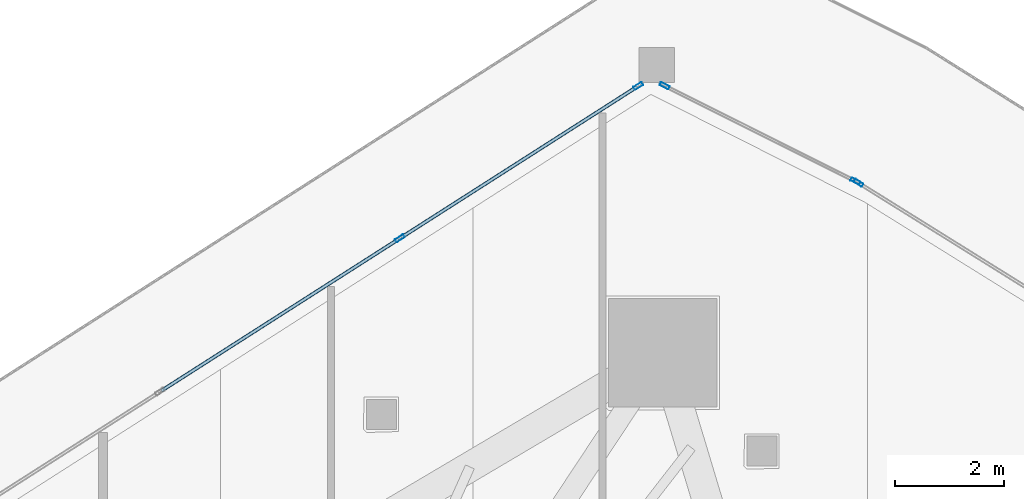
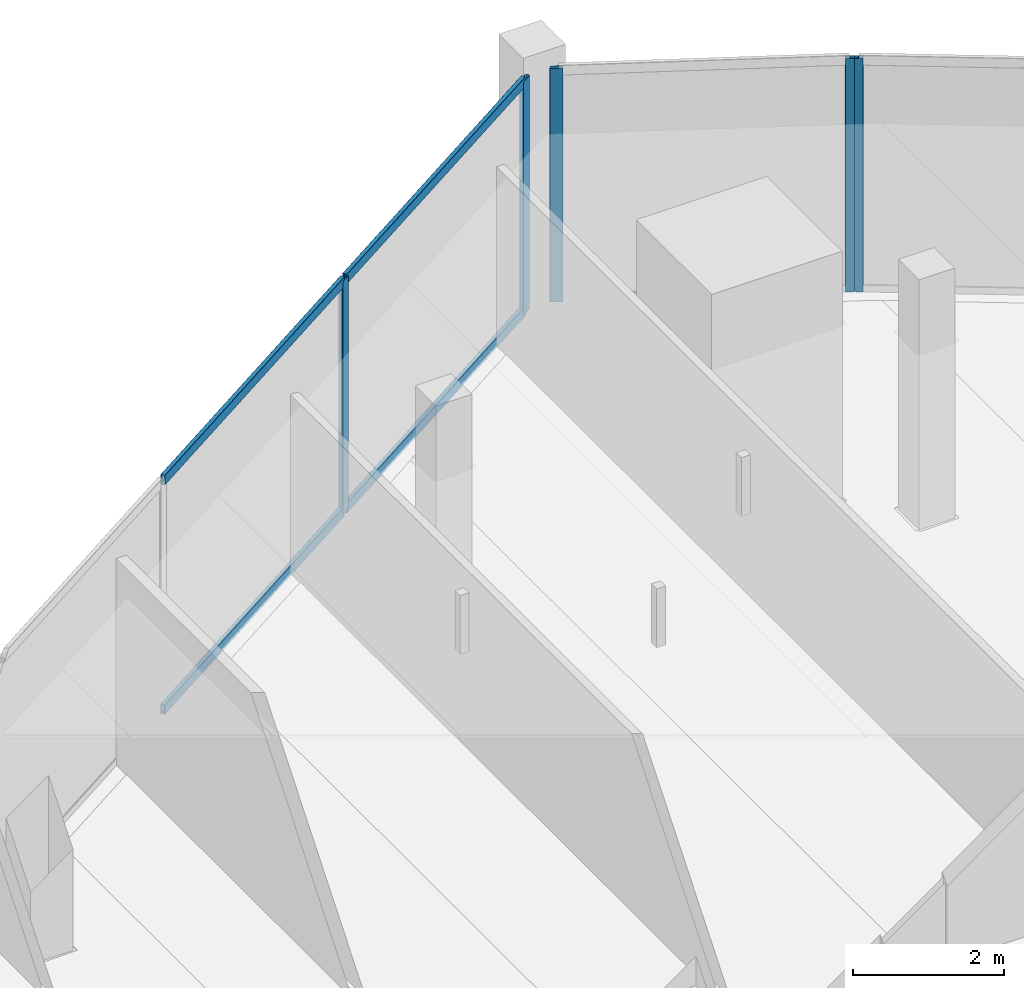
# One storey, part 20 of 33: 9 members, 3 elements without a shape of their own.
"""IFC4 building model written with IfcOpenShell, lengths in metres."""

from ifc_helpers import new_model, si_unit, direction, frame, origin, origin_2d, place, context, subcontext, project, spatial, hollow_rectangle, extrude, material, layer, layer_set, material_profile, profile_set, type_object, element, aggregate, save


model = new_model("IFC4")

# Units and contexts
model_context = context("Model", 3, precision=1e-05, world=origin(), true_north=direction((0.0, 1.0)))
body_context = subcontext(model_context, "Body", "Model", "MODEL_VIEW")
ifc_project = project(units=[si_unit("LENGTHUNIT", "METRE"), si_unit("AREAUNIT", "SQUARE_METRE"), si_unit("VOLUMEUNIT", "CUBIC_METRE"), si_unit("PLANEANGLEUNIT", "RADIAN"), si_unit("MASSUNIT", "GRAM", prefix="KILO")], contexts=[model_context])

# Site, building, storey
site_placement = place(None, origin())
site = spatial("IfcSite", under=ifc_project, at=site_placement, CompositionType="ELEMENT")
building_placement = place(site_placement, origin())
building = spatial("IfcBuilding", under=site, at=building_placement, Name="Qorvath Tower", CompositionType="ELEMENT")
storey_placement = place(building_placement, frame((0.0, 0.0, 209.10009765625)))
storey = spatial("IfcBuildingStorey", under=building, at=storey_placement, Name="L48", CompositionType="ELEMENT", Elevation=209.10009765625)

# Curtain wall, member
ifc_material_1 = material(Name="Anodised aluminium and triple low-E glass", Category="aluminium")
ifc_layer = layer(ifc_material_1, 0.179931640625)
ifc_layer_set = layer_set([ifc_layer], Name="CW-SYS-3")
curtain_wall_type = type_object("IfcCurtainWallType", Name="CW-SYS-3", PredefinedType="NOTDEFINED", material=ifc_layer_set)
curtain_wall_1_placement = place(storey_placement, origin())
curtain_wall_1 = element("IfcCurtainWall", 1, at=curtain_wall_1_placement, inside=storey, type_object=curtain_wall_type, Name="Curtain Wall CW-3 CW-T-L48-14.1", PredefinedType="NOTDEFINED")
ifc_material_2 = material(Name="Anodised aluminium 6063-T6", Category="aluminium")
ifc_material_profile_1 = material_profile(ifc_material_2, hollow_rectangle(XDim=0.06494140625, YDim=0.179931640625, WallThickness=0.00341796875, InnerFilletRadius=0.00341796875, OuterFilletRadius=0.007080078125, at=origin_2d()), Name="CWM 180x65")
ifc_profile_set_1 = profile_set([ifc_material_profile_1], Name="Anodised aluminium 6063-T6")
member_type_1 = type_object("IfcMemberType", Name="CWM-180", PredefinedType="MULLION", material=ifc_profile_set_1)
member_1_placement = place(storey_placement, frame((-13.267578125, 24.75732421875, 0.0), z_axis=(0.0, 0.0, 1.0), x_axis=(-0.529074089173, -0.848575634912, 0.0)))
member_1 = element("IfcMember", 2, at=member_1_placement, type_object=member_type_1, Name="CW-3 mullion 2", PredefinedType="MULLION", context=body_context, shape_type="SweptSolid", body=[
    extrude(hollow_rectangle(XDim=0.06494140625, YDim=0.179931640625, WallThickness=0.00341796875, InnerFilletRadius=0.00341796875, OuterFilletRadius=0.007080078125, at=origin_2d()), origin(), (0.0, 0.0, 1.0), 3.77978515625),
])
aggregate(curtain_wall_1, [member_1])

# Curtain wall, members
curtain_wall_2_placement = place(storey_placement, origin())
curtain_wall_2 = element("IfcCurtainWall", 3, at=curtain_wall_2_placement, inside=storey, type_object=curtain_wall_type, Name="Curtain Wall CW-3 CW-T-L48-15.1", PredefinedType="NOTDEFINED")
member_2_placement = place(storey_placement, frame((-13.32421875, 24.788818359375, 0.0), z_axis=(0.0, 0.0, 1.0), x_axis=(-0.447153462901, -0.894457254773, 0.0)))
member_2 = element("IfcMember", 4, at=member_2_placement, type_object=member_type_1, Name="CW-3 mullion 1", PredefinedType="MULLION", context=body_context, shape_type="SweptSolid", body=[
    extrude(hollow_rectangle(XDim=0.06494140625, YDim=0.179931640625, WallThickness=0.00341796875, InnerFilletRadius=0.00341796875, OuterFilletRadius=0.007080078125, at=origin_2d()), origin(), (0.0, 0.0, 1.0), 3.77978515625),
])
member_3_placement = place(storey_placement, frame((-16.836181640625, 26.544677734375, 0.0), z_axis=(0.0, 0.0, 1.0), x_axis=(-0.447153462901, -0.894457254773, 0.0)))
member_3 = element("IfcMember", 5, at=member_3_placement, type_object=member_type_1, Name="CW-3 mullion 2", PredefinedType="MULLION", context=body_context, shape_type="SweptSolid", body=[
    extrude(hollow_rectangle(XDim=0.06494140625, YDim=0.179931640625, WallThickness=0.00341796875, InnerFilletRadius=0.00341796875, OuterFilletRadius=0.007080078125, at=origin_2d()), origin(), (0.0, 0.0, 1.0), 3.77978515625),
])
aggregate(curtain_wall_2, [member_2, member_3])

curtain_wall_3_placement = place(storey_placement, origin())
curtain_wall_3 = element("IfcCurtainWall", 6, at=curtain_wall_3_placement, inside=storey, type_object=curtain_wall_type, Name="Curtain Wall CW-3 CW-T-L48-16.1", PredefinedType="NOTDEFINED")
member_4_placement = place(storey_placement, frame((-17.322998046875, 26.54150390625, 0.0), z_axis=(0.0, 0.0, 1.0), x_axis=(0.538532455845, -0.842604767374, 0.0)))
member_4 = element("IfcMember", 7, at=member_4_placement, type_object=member_type_1, Name="CW-3 mullion 1", PredefinedType="MULLION", context=body_context, shape_type="SweptSolid", body=[
    extrude(hollow_rectangle(XDim=0.06494140625, YDim=0.179931640625, WallThickness=0.00341796875, InnerFilletRadius=0.00341796875, OuterFilletRadius=0.007080078125, at=origin_2d()), origin(), (0.0, 0.0, 1.0), 3.77978515625),
])
member_5_placement = place(storey_placement, frame((-21.71337890625, 23.735595703125, 0.0), z_axis=(0.0, 0.0, 1.0), x_axis=(0.538532455845, -0.842604767374, 0.0)))
member_5 = element("IfcMember", 8, at=member_5_placement, type_object=member_type_1, Name="CW-3 mullion 2", PredefinedType="MULLION", context=body_context, shape_type="SweptSolid", body=[
    extrude(hollow_rectangle(XDim=0.06494140625, YDim=0.179931640625, WallThickness=0.00341796875, InnerFilletRadius=0.00341796875, OuterFilletRadius=0.007080078125, at=origin_2d()), origin(), (0.0, 0.0, 1.0), 3.77978515625),
])
ifc_material_3 = material(Name="Anodised aluminium 6063-T6", Category="aluminium")
ifc_material_profile_2 = material_profile(ifc_material_3, hollow_rectangle(XDim=0.06494140625, YDim=0.159912109375, WallThickness=0.00341796875, InnerFilletRadius=0.00341796875, OuterFilletRadius=0.007080078125, at=origin_2d()), Name="CWT 160x65")
ifc_profile_set_2 = profile_set([ifc_material_profile_2], Name="Anodised aluminium 6063-T6")
member_type_2 = type_object("IfcMemberType", Name="CWT-160", PredefinedType="USERDEFINED", material=ifc_profile_set_2)
member_6_placement = place(storey_placement, frame((-17.3505859375, 26.524169921875, 0.032470703125), z_axis=(-0.842596979859, -0.538544640241, 0.0), x_axis=(0.538544640241, -0.842596979859, 0.0)))
member_6 = element("IfcMember", 9, at=member_6_placement, type_object=member_type_2, Name="CW-3 transom 1.1", ObjectType="TRANSOM", PredefinedType="USERDEFINED", context=body_context, shape_type="SweptSolid", body=[
    extrude(hollow_rectangle(XDim=0.06494140625, YDim=0.159912109375, WallThickness=0.00341796875, InnerFilletRadius=0.00341796875, OuterFilletRadius=0.007080078125, at=origin_2d()), origin(), (0.0, 0.0, 1.0), 5.145263671875),
])
member_7_placement = place(storey_placement, frame((-17.3505859375, 26.524169921875, 3.747314453125), z_axis=(-0.842596979859, -0.538544640241, 0.0), x_axis=(0.538544640241, -0.842596979859, 0.0)))
member_7 = element("IfcMember", 10, at=member_7_placement, type_object=member_type_2, Name="CW-3 transom 1.2", ObjectType="TRANSOM", PredefinedType="USERDEFINED", context=body_context, shape_type="SweptSolid", body=[
    extrude(hollow_rectangle(XDim=0.06494140625, YDim=0.159912109375, WallThickness=0.00341796875, InnerFilletRadius=0.00341796875, OuterFilletRadius=0.007080078125, at=origin_2d()), origin(), (0.0, 0.0, 1.0), 5.145263671875),
])
member_8_placement = place(storey_placement, frame((-21.74072265625, 23.718017578125, 0.032470703125), z_axis=(-0.84262316261, -0.538503672999, 0.0), x_axis=(0.538503672999, -0.84262316261, 0.0)))
member_8 = element("IfcMember", 11, at=member_8_placement, type_object=member_type_2, Name="CW-3 transom 2.1", ObjectType="TRANSOM", PredefinedType="USERDEFINED", context=body_context, shape_type="SweptSolid", body=[
    extrude(hollow_rectangle(XDim=0.06494140625, YDim=0.159912109375, WallThickness=0.00341796875, InnerFilletRadius=0.00341796875, OuterFilletRadius=0.007080078125, at=origin_2d()), origin(), (0.0, 0.0, 1.0), 5.177978515625),
])
member_9_placement = place(storey_placement, frame((-21.74072265625, 23.718017578125, 3.747314453125), z_axis=(-0.84262316261, -0.538503672999, 0.0), x_axis=(0.538503672999, -0.84262316261, 0.0)))
member_9 = element("IfcMember", 12, at=member_9_placement, type_object=member_type_2, Name="CW-3 transom 2.2", ObjectType="TRANSOM", PredefinedType="USERDEFINED", context=body_context, shape_type="SweptSolid", body=[
    extrude(hollow_rectangle(XDim=0.06494140625, YDim=0.159912109375, WallThickness=0.00341796875, InnerFilletRadius=0.00341796875, OuterFilletRadius=0.007080078125, at=origin_2d()), origin(), (0.0, 0.0, 1.0), 5.177978515625),
])
aggregate(curtain_wall_3, [member_4, member_5, member_6, member_7, member_8, member_9])

save(model, "model.ifc")
